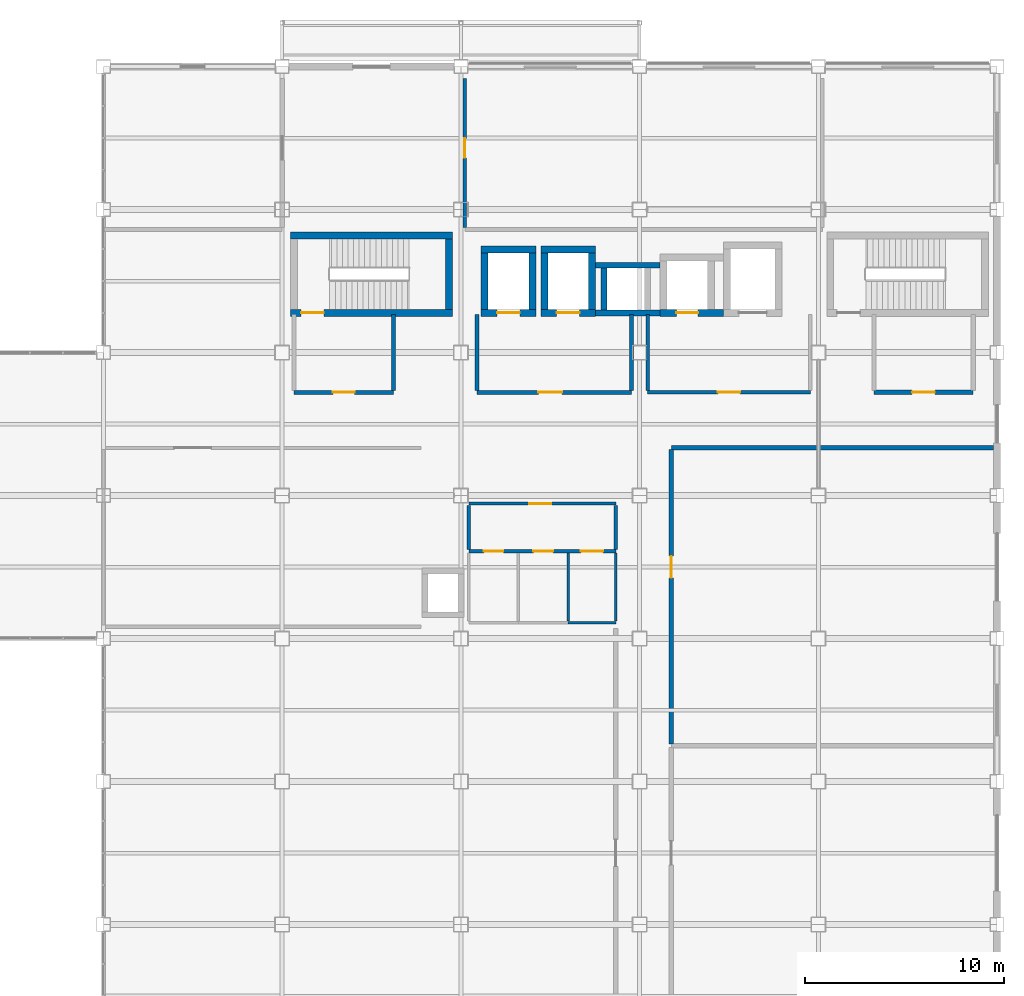
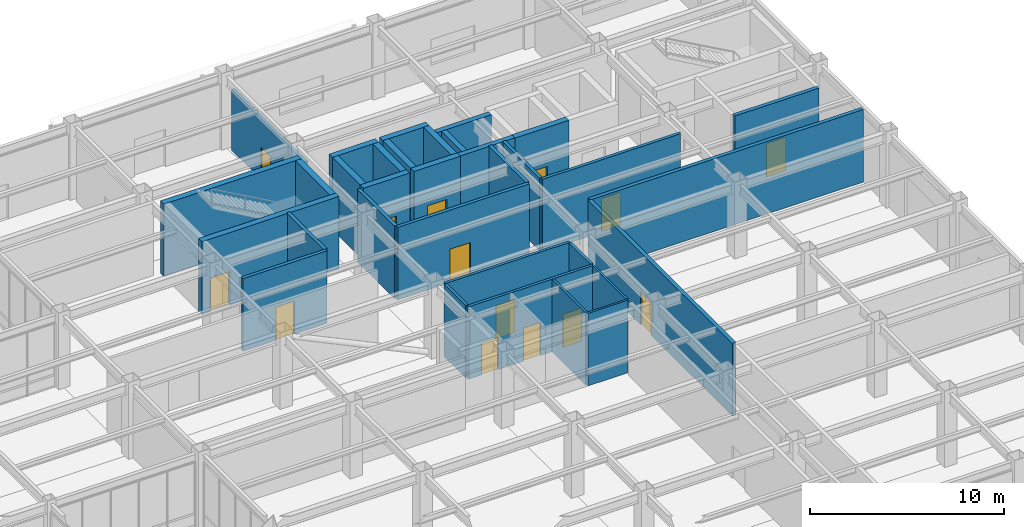
# One storey, part 94 of 112: 33 walls, 14 doors, 14 openings.
"""IFC4 building model written with IfcOpenShell, lengths in metres."""

from ifc_helpers import new_model, si_unit, direction, frame, frame_2d, origin, place, context, subcontext, project, spatial, rectangle, extrude, material, layer, layer_set, type_object, element, fill, save


model = new_model("IFC4")

# Units and contexts
model_context = context("Model", 3, precision=1e-05, world=origin(), true_north=direction((0.0, 1.0)))
body_context = subcontext(model_context, "Body", "Model", "MODEL_VIEW")
ifc_project = project(units=[si_unit("LENGTHUNIT", "METRE"), si_unit("AREAUNIT", "SQUARE_METRE"), si_unit("VOLUMEUNIT", "CUBIC_METRE"), si_unit("PLANEANGLEUNIT", "RADIAN"), si_unit("MASSUNIT", "GRAM", prefix="KILO")], contexts=[model_context])

# Site, building, storey
site_placement = place(None, origin())
site = spatial("IfcSite", under=ifc_project, at=site_placement, CompositionType="ELEMENT")
building_placement = place(site_placement, origin())
building = spatial("IfcBuilding", under=site, at=building_placement, Name="Kazanami Central Library", CompositionType="ELEMENT")
storey_placement = place(building_placement, origin())
storey = spatial("IfcBuildingStorey", under=building, at=storey_placement, Name="L01", CompositionType="ELEMENT", Elevation=0.0)

# Wall, openings, doors
ifc_material_1 = material(Name="Fire-Resistant Gypsum Board GB-F", Category="gypsum")
ifc_layer_1 = layer(ifc_material_1, 0.1650390625, Name="Fire-Resistant Gypsum Board GB-F")
ifc_layer_set_1 = layer_set([ifc_layer_1], Name="Fire-Resistant Gypsum Board GB-F")
wall_type_1 = type_object("IfcWallType", Name="WAL-FW-165", PredefinedType="PARTITIONING", material=ifc_layer_set_1)
wall_1_placement = place(storey_placement, frame((135.39990234375, 69.199951171875, 0.0), z_axis=(0.0, 0.0, 1.0), x_axis=(1.0, 0.0, 0.0)))
wall_1 = element("IfcWall", 1, at=wall_1_placement, inside=storey, type_object=wall_type_1, Name="Interior Partition FW-165 L01 WC-V2-LOB (South)", PredefinedType="PARTITIONING", context=body_context, shape_type="SweptSolid", body=[
    extrude(rectangle(XDim=7.400146484375, YDim=0.1650390625, at=frame_2d((3.7001953125, 0.0))), origin(), (0.0, 0.0, 1.0), 4.554931640625),
])
opening_1_placement = place(wall_1_placement, frame((0.760009765625, 0.0, 0.0)))
opening_1 = element("IfcOpeningElement", 2, at=opening_1_placement, cuts=wall_1, Name="Opening FD30-3", PredefinedType="OPENING", context=body_context, shape_type="SweptSolid", body=[
    extrude(rectangle(XDim=0.97998046875, YDim=2.02001953125, at=frame_2d((0.489990234375, 1.010009765625))), frame((0.0, 0.094482421875, 0.0), z_axis=(0.0, -1.0, 0.0), x_axis=(1.0, 0.0, 0.0)), (0.0, 0.0, 1.0), 0.18896484375),
])
opening_2_placement = place(wall_1_placement, frame((3.25, 0.0, 0.0)))
opening_2 = element("IfcOpeningElement", 3, at=opening_2_placement, cuts=wall_1, Name="Opening FD30-2", PredefinedType="OPENING", context=body_context, shape_type="SweptSolid", body=[
    extrude(rectangle(XDim=1.0, YDim=2.080078125, at=frame_2d((0.5, 1.0400390625))), frame((0.0, 0.094482421875, 0.0), z_axis=(0.0, -1.0, 0.0), x_axis=(1.0, 0.0, 0.0)), (0.0, 0.0, 1.0), 0.18896484375),
])
opening_3_placement = place(wall_1_placement, frame((5.639892578125, 0.0, 0.0)))
opening_3 = element("IfcOpeningElement", 4, at=opening_3_placement, cuts=wall_1, Name="Opening FD30-8", PredefinedType="OPENING", context=body_context, shape_type="SweptSolid", body=[
    extrude(rectangle(XDim=1.1201171875, YDim=2.080078125, at=frame_2d((0.56005859375, 1.0400390625))), frame((0.0, 0.094482421875, 0.0), z_axis=(0.0, -1.0, 0.0), x_axis=(1.0, 0.0, 0.0)), (0.0, 0.0, 1.0), 0.18896484375),
])
ifc_material_2 = material(Name="Cold-Rolled Steel SPCC", Category="steel")
door_type_1 = type_object("IfcDoorType", Name="DOR-FD30-2", OperationType="NOTDEFINED", PredefinedType="DOOR", material=ifc_material_2)
door_1_placement = place(opening_2_placement, origin())
door_1 = element("IfcDoor", 5, at=door_1_placement, inside=storey, type_object=door_type_1, Name="Interior Door FD30-2 L01 WC-V2-F", OperationType="SINGLE_SWING_RIGHT", OverallHeight=2.080078125, OverallWidth=1.0, PredefinedType="DOOR", context=body_context, shape_type="SweptSolid", body=[
    extrude(rectangle(XDim=1.0, YDim=2.080078125, at=frame_2d((0.5, 1.0400390625))), frame((0.0, 0.02490234375, 0.0), z_axis=(0.0, -1.0, 0.0), x_axis=(1.0, 0.0, 0.0)), (0.0, 0.0, 1.0), 0.050048828125),
])
fill(opening_2, door_1)
door_type_2 = type_object("IfcDoorType", Name="DOR-FD30-3", OperationType="NOTDEFINED", PredefinedType="DOOR", material=ifc_material_2)
door_2_placement = place(opening_1_placement, origin())
door_2 = element("IfcDoor", 6, at=door_2_placement, inside=storey, type_object=door_type_2, Name="Interior Door FD30-3 L01 WC-V2-M", OperationType="SINGLE_SWING_LEFT", OverallHeight=2.02001953125, OverallWidth=0.97998046875, PredefinedType="DOOR", context=body_context, shape_type="SweptSolid", body=[
    extrude(rectangle(XDim=0.97998046875, YDim=2.02001953125, at=frame_2d((0.489990234375, 1.010009765625))), frame((0.0, 0.02490234375, 0.0), z_axis=(0.0, -1.0, 0.0), x_axis=(1.0, 0.0, 0.0)), (0.0, 0.0, 1.0), 0.050048828125),
])
fill(opening_1, door_2)
door_type_3 = type_object("IfcDoorType", Name="DOR-FD30-8", OperationType="NOTDEFINED", PredefinedType="DOOR", material=ifc_material_2)
door_3_placement = place(opening_3_placement, origin())
door_3 = element("IfcDoor", 7, at=door_3_placement, inside=storey, type_object=door_type_3, Name="Interior Door FD30-8 L01 WC-V2-ACC", OperationType="SINGLE_SWING_LEFT", OverallHeight=2.080078125, OverallWidth=1.1201171875, PredefinedType="DOOR", context=body_context, shape_type="SweptSolid", body=[
    extrude(rectangle(XDim=1.1201171875, YDim=2.080078125, at=frame_2d((0.56005859375, 1.0400390625))), frame((0.0, 0.02490234375, 0.0), z_axis=(0.0, -1.0, 0.0), x_axis=(1.0, 0.0, 0.0)), (0.0, 0.0, 1.0), 0.050048828125),
])
fill(opening_3, door_3)

# Wall, opening, door
wall_2_placement = place(storey_placement, frame((135.39990234375, 71.60009765625, 0.0), z_axis=(0.0, 0.0, 1.0), x_axis=(1.0, 0.0, 0.0)))
wall_2 = element("IfcWall", 8, at=wall_2_placement, inside=storey, type_object=wall_type_1, Name="Interior Partition FW-165 L01 WC-V2-LOB (North)", PredefinedType="PARTITIONING", context=body_context, shape_type="SweptSolid", body=[
    extrude(rectangle(XDim=7.400146484375, YDim=0.1650390625, at=frame_2d((3.7001953125, 0.0))), origin(), (0.0, 0.0, 1.0), 4.554931640625),
])
opening_4_placement = place(wall_2_placement, frame((3.0400390625, 0.0, 0.0)))
opening_4 = element("IfcOpeningElement", 9, at=opening_4_placement, cuts=wall_2, Name="Opening FD30-8", PredefinedType="OPENING", context=body_context, shape_type="SweptSolid", body=[
    extrude(rectangle(XDim=1.1201171875, YDim=2.080078125, at=frame_2d((0.56005859375, 1.0400390625))), frame((0.0, 0.094482421875, 0.0), z_axis=(0.0, -1.0, 0.0), x_axis=(1.0, 0.0, 0.0)), (0.0, 0.0, 1.0), 0.18896484375),
])
door_4_placement = place(opening_4_placement, origin())
door_4 = element("IfcDoor", 10, at=door_4_placement, inside=storey, type_object=door_type_3, Name="Interior Door FD30-8 L01 WC-V2-LOB", OperationType="SINGLE_SWING_RIGHT", OverallHeight=2.080078125, OverallWidth=1.1201171875, PredefinedType="DOOR", context=body_context, shape_type="SweptSolid", body=[
    extrude(rectangle(XDim=1.1201171875, YDim=2.080078125, at=frame_2d((0.56005859375, 1.0400390625))), frame((0.0, 0.02490234375, 0.0), z_axis=(0.0, -1.0, 0.0), x_axis=(1.0, 0.0, 0.0)), (0.0, 0.0, 1.0), 0.050048828125),
])
fill(opening_4, door_4)

# Walls
for number, where, z_axis, x_axis, name in (
    (11, (135.39990234375, 69.2900390625, 0.0), (0.0, 0.0, 1.0), (0.0, 1.0, 0.0), "Interior Partition FW-165 L01 WC-V2-LOB (West)"),
    (12, (142.800048828125, 69.2900390625, 0.0), (0.0, 0.0, 1.0), (0.0, 1.0, 0.0), "Interior Partition FW-165 L01 WC-V2-LOB (East)"),
):
    element("IfcWall", number, at=place(storey_placement, frame(where, z_axis=z_axis, x_axis=x_axis)), inside=storey, type_object=wall_type_1, Name=name, PredefinedType="PARTITIONING", context=body_context, shape_type="SweptSolid", body=[
        extrude(rectangle(XDim=2.219970703125, YDim=0.1650390625, at=frame_2d((1.10986328125, 0.0))), origin(), (0.0, 0.0, 1.0), 4.554931640625),
    ])

# Wall, opening, door
ifc_layer_2 = layer(ifc_material_1, 0.179931640625, Name="Fire-Resistant Gypsum Board GB-F")
ifc_layer_set_2 = layer_set([ifc_layer_2], Name="Fire-Resistant Gypsum Board GB-F")
wall_type_2 = type_object("IfcWallType", Name="WAL-FW-180", PredefinedType="PARTITIONING", material=ifc_layer_set_2)
wall_3_placement = place(storey_placement, frame((144.39990234375, 77.199951171875, 0.0), z_axis=(0.0, 0.0, 1.0), x_axis=(1.0, 0.0, 0.0)))
wall_3 = element("IfcWall", 13, at=wall_3_placement, inside=storey, type_object=wall_type_2, Name="Interior Partition FW-180 L01 LOBBY-V2 (South)", PredefinedType="PARTITIONING", context=body_context, shape_type="SweptSolid", body=[
    extrude(rectangle(XDim=8.2001953125, YDim=0.179931640625, at=frame_2d((4.10009765625, 0.0))), origin(), (0.0, 0.0, 1.0), 4.554931640625),
])
opening_5_placement = place(wall_3_placement, frame((3.5400390625, 0.0, 0.0)))
opening_5 = element("IfcOpeningElement", 14, at=opening_5_placement, cuts=wall_3, Name="Opening FD30-8", PredefinedType="OPENING", context=body_context, shape_type="SweptSolid", body=[
    extrude(rectangle(XDim=1.1201171875, YDim=2.080078125, at=frame_2d((0.56005859375, 1.0400390625))), frame((0.0, 0.10205078125, 0.0), z_axis=(0.0, -1.0, 0.0), x_axis=(1.0, 0.0, 0.0)), (0.0, 0.0, 1.0), 0.203857421875),
])
door_5_placement = place(opening_5_placement, frame((1.1201171875, 0.0, 0.0), z_axis=(0.0, 0.0, 1.0), x_axis=(-1.0, 0.0, 0.0)))
door_5 = element("IfcDoor", 15, at=door_5_placement, inside=storey, type_object=door_type_3, Name="Interior Door FD30-8 L01 LOBBY-V2", OperationType="SINGLE_SWING_LEFT", OverallHeight=2.080078125, OverallWidth=1.1201171875, PredefinedType="DOOR", context=body_context, shape_type="SweptSolid", body=[
    extrude(rectangle(XDim=1.1201171875, YDim=2.080078125, at=frame_2d((0.56005859375, 1.0400390625))), frame((0.0, 0.02490234375, 0.0), z_axis=(0.0, -1.0, 0.0), x_axis=(1.0, 0.0, 0.0)), (0.0, 0.0, 1.0), 0.050048828125),
])
fill(opening_5, door_5)

# Wall
wall_4_placement = place(storey_placement, frame((144.39990234375, 77.2900390625, 0.0), z_axis=(0.0, 0.0, 1.0), x_axis=(0.0, 1.0, 0.0)))
element("IfcWall", 16, at=wall_4_placement, inside=storey, type_object=wall_type_2, Name="Interior Partition FW-180 L01 LOBBY-V2 (West)", PredefinedType="PARTITIONING", context=body_context, shape_type="SweptSolid", body=[
    extrude(rectangle(XDim=3.820068359375, YDim=0.179931640625, at=frame_2d((1.91015625, 0.0))), origin(), (0.0, 0.0, 1.0), 4.554931640625),
])

# Wall, opening, door
wall_5_placement = place(storey_placement, frame((135.199951171875, 85.489990234375, 0.0), z_axis=(0.0, 0.0, 1.0), x_axis=(0.0, 1.0, 0.0)))
wall_5 = element("IfcWall", 17, at=wall_5_placement, inside=storey, type_object=wall_type_2, Name="Interior Partition FW-180 L01 RM-45 (West)", PredefinedType="PARTITIONING", context=body_context, shape_type="SweptSolid", body=[
    extrude(rectangle(XDim=7.510009765625, YDim=0.179931640625, at=frame_2d((3.7548828125, 0.0))), origin(), (0.0, 0.0, 1.0), 3.8349609375),
])
opening_6_placement = place(wall_5_placement, frame((3.52001953125, 0.0, 0.0)))
opening_6 = element("IfcOpeningElement", 18, at=opening_6_placement, cuts=wall_5, Name="Opening FD30-3", PredefinedType="OPENING", context=body_context, shape_type="SweptSolid", body=[
    extrude(rectangle(XDim=0.97998046875, YDim=2.02001953125, at=frame_2d((0.489990234375, 1.010009765625))), frame((0.0, 0.10205078125, 0.0), z_axis=(0.0, -1.0, 0.0), x_axis=(1.0, 0.0, 0.0)), (0.0, 0.0, 1.0), 0.203857421875),
])
door_6_placement = place(opening_6_placement, origin())
door_6 = element("IfcDoor", 19, at=door_6_placement, inside=storey, type_object=door_type_2, Name="Interior Door FD30-3 L01 RM-45", OperationType="SINGLE_SWING_LEFT", OverallHeight=2.02001953125, OverallWidth=0.97998046875, PredefinedType="DOOR", context=body_context, shape_type="SweptSolid", body=[
    extrude(rectangle(XDim=0.97998046875, YDim=2.02001953125, at=frame_2d((0.489990234375, 1.010009765625))), frame((0.0, 0.02490234375, 0.0), z_axis=(0.0, -1.0, 0.0), x_axis=(1.0, 0.0, 0.0)), (0.0, 0.0, 1.0), 0.050048828125),
])
fill(opening_6, door_6)

ifc_layer_3 = layer(ifc_material_1, 0.199951171875, Name="Fire-Resistant Gypsum Board GB-F")
ifc_layer_set_3 = layer_set([ifc_layer_3], Name="Fire-Resistant Gypsum Board GB-F")
wall_type_3 = type_object("IfcWallType", Name="WAL-FW-200", PredefinedType="PARTITIONING", material=ifc_layer_set_3)
wall_6_placement = place(storey_placement, frame((126.60009765625, 77.199951171875, 0.0), z_axis=(0.0, 0.0, 1.0), x_axis=(1.0, 0.0, 0.0)))
wall_6 = element("IfcWall", 20, at=wall_6_placement, inside=storey, type_object=wall_type_3, Name="Interior Partition FW-200 L01 VEST-ST-01 (South)", PredefinedType="PARTITIONING", context=body_context, shape_type="SweptSolid", body=[
    extrude(rectangle(XDim=5.0, YDim=0.199951171875, at=frame_2d((2.5, 0.0))), origin(), (0.0, 0.0, 1.0), 4.554931640625),
])
opening_7_placement = place(wall_6_placement, frame((1.949951171875, 0.0, 0.0)))
opening_7 = element("IfcOpeningElement", 21, at=opening_7_placement, cuts=wall_6, Name="Opening FD60-3", PredefinedType="OPENING", context=body_context, shape_type="SweptSolid", body=[
    extrude(rectangle(XDim=1.10009765625, YDim=2.080078125, at=frame_2d((0.550048828125, 1.0400390625))), frame((0.0, 0.11181640625, 0.0), z_axis=(0.0, -1.0, 0.0), x_axis=(1.0, 0.0, 0.0)), (0.0, 0.0, 1.0), 0.223876953125),
])
door_type_4 = type_object("IfcDoorType", Name="DOR-FD60-3", OperationType="NOTDEFINED", PredefinedType="DOOR", material=ifc_material_2)
door_7_placement = place(opening_7_placement, frame((1.10009765625, 0.0, 0.0), z_axis=(0.0, 0.0, 1.0), x_axis=(-1.0, 0.0, 0.0)))
door_7 = element("IfcDoor", 22, at=door_7_placement, inside=storey, type_object=door_type_4, Name="Interior Door FD60-3 L01 VEST-ST-01", OperationType="SINGLE_SWING_RIGHT", OverallHeight=2.080078125, OverallWidth=1.10009765625, PredefinedType="DOOR", context=body_context, shape_type="SweptSolid", body=[
    extrude(rectangle(XDim=1.10009765625, YDim=2.080078125, at=frame_2d((0.550048828125, 1.0400390625))), frame((0.0, 0.02490234375, 0.0), z_axis=(0.0, -1.0, 0.0), x_axis=(1.0, 0.0, 0.0)), (0.0, 0.0, 1.0), 0.050048828125),
])
fill(opening_7, door_7)

# Wall
wall_7_placement = place(storey_placement, frame((131.60009765625, 77.2900390625, 0.0), z_axis=(0.0, 0.0, 1.0), x_axis=(0.0, 1.0, 0.0)))
element("IfcWall", 23, at=wall_7_placement, inside=storey, type_object=wall_type_3, Name="Interior Partition FW-200 L01 VEST-ST-01 (East)", PredefinedType="PARTITIONING", context=body_context, shape_type="SweptSolid", body=[
    extrude(rectangle(XDim=3.820068359375, YDim=0.199951171875, at=frame_2d((1.91015625, 0.0))), origin(), (0.0, 0.0, 1.0), 4.554931640625),
])

# Wall, opening, door
wall_8_placement = place(storey_placement, frame((135.800048828125, 77.199951171875, 0.0), z_axis=(0.0, 0.0, 1.0), x_axis=(1.0, 0.0, 0.0)))
wall_8 = element("IfcWall", 24, at=wall_8_placement, inside=storey, type_object=wall_type_3, Name="Interior Partition FW-200 L01 LOBBY-FF (South)", PredefinedType="PARTITIONING", context=body_context, shape_type="SweptSolid", body=[
    extrude(rectangle(XDim=7.800048828125, YDim=0.199951171875, at=frame_2d((3.89990234375, 0.0))), origin(), (0.0, 0.0, 1.0), 4.554931640625),
])
opening_8_placement = place(wall_8_placement, frame((3.10009765625, 0.0, 0.0)))
opening_8 = element("IfcOpeningElement", 25, at=opening_8_placement, cuts=wall_8, Name="Opening FD60-1", PredefinedType="OPENING", context=body_context, shape_type="SweptSolid", body=[
    extrude(rectangle(XDim=1.199951171875, YDim=2.10009765625, at=frame_2d((0.60009765625, 1.050048828125))), frame((0.0, 0.11181640625, 0.0), z_axis=(0.0, -1.0, 0.0), x_axis=(1.0, 0.0, 0.0)), (0.0, 0.0, 1.0), 0.223876953125),
])
door_type_5 = type_object("IfcDoorType", Name="DOR-FD60-1", OperationType="NOTDEFINED", PredefinedType="DOOR", material=ifc_material_2)
door_8_placement = place(opening_8_placement, frame((1.199951171875, 0.0, 0.0), z_axis=(0.0, 0.0, 1.0), x_axis=(-1.0, 0.0, 0.0)))
door_8 = element("IfcDoor", 26, at=door_8_placement, inside=storey, type_object=door_type_5, Name="Interior Door FD60-1 L01 LOBBY-FF", OperationType="SINGLE_SWING_RIGHT", OverallHeight=2.10009765625, OverallWidth=1.199951171875, PredefinedType="DOOR", context=body_context, shape_type="SweptSolid", body=[
    extrude(rectangle(XDim=1.199951171875, YDim=2.10009765625, at=frame_2d((0.60009765625, 1.050048828125))), frame((0.0, 0.02490234375, 0.0), z_axis=(0.0, -1.0, 0.0), x_axis=(1.0, 0.0, 0.0)), (0.0, 0.0, 1.0), 0.050048828125),
])
fill(opening_8, door_8)

# Walls
for number, where, z_axis, x_axis, name in (
    (27, (135.800048828125, 77.2900390625, 0.0), (0.0, 0.0, 1.0), (0.0, 1.0, 0.0), "Interior Partition FW-200 L01 LOBBY-FF (West)"),
    (28, (143.60009765625, 77.2900390625, 0.0), (0.0, 0.0, 1.0), (0.0, 1.0, 0.0), "Interior Partition FW-200 L01 LOBBY-FF (East)"),
):
    element("IfcWall", number, at=place(storey_placement, frame(where, z_axis=z_axis, x_axis=x_axis)), inside=storey, type_object=wall_type_3, Name=name, PredefinedType="PARTITIONING", context=body_context, shape_type="SweptSolid", body=[
        extrude(rectangle(XDim=3.820068359375, YDim=0.199951171875, at=frame_2d((1.91015625, 0.0))), origin(), (0.0, 0.0, 1.0), 4.554931640625),
    ])

# Wall, opening, door
ifc_layer_4 = layer(ifc_material_1, 0.219970703125, Name="Fire-Resistant Gypsum Board GB-F")
ifc_layer_set_4 = layer_set([ifc_layer_4], Name="Fire-Resistant Gypsum Board GB-F")
wall_type_4 = type_object("IfcWallType", Name="WAL-FW-220", PredefinedType="PARTITIONING", material=ifc_layer_set_4)
wall_9_placement = place(storey_placement, frame((155.800048828125, 77.199951171875, 0.0), z_axis=(0.0, 0.0, 1.0), x_axis=(1.0, 0.0, 0.0)))
wall_9 = element("IfcWall", 29, at=wall_9_placement, inside=storey, type_object=wall_type_4, Name="Interior Partition FW-220 L01 VEST-ST-02 (South)", PredefinedType="PARTITIONING", context=body_context, shape_type="SweptSolid", body=[
    extrude(rectangle(XDim=5.0, YDim=0.219970703125, at=frame_2d((2.5, 0.0))), origin(), (0.0, 0.0, 1.0), 4.554931640625),
])
opening_9_placement = place(wall_9_placement, frame((1.925048828125, 0.0, 0.0)))
opening_9 = element("IfcOpeningElement", 30, at=opening_9_placement, cuts=wall_9, Name="Opening FD60-2", PredefinedType="OPENING", context=body_context, shape_type="SweptSolid", body=[
    extrude(rectangle(XDim=1.14990234375, YDim=2.10009765625, at=frame_2d((0.574951171875, 1.050048828125))), frame((0.0, 0.1220703125, 0.0), z_axis=(0.0, -1.0, 0.0), x_axis=(1.0, 0.0, 0.0)), (0.0, 0.0, 1.0), 0.243896484375),
])
door_type_6 = type_object("IfcDoorType", Name="DOR-FD60-2", OperationType="NOTDEFINED", PredefinedType="DOOR", material=ifc_material_2)
door_9_placement = place(opening_9_placement, frame((1.14990234375, 0.0, 0.0), z_axis=(0.0, 0.0, 1.0), x_axis=(-1.0, 0.0, 0.0)))
door_9 = element("IfcDoor", 31, at=door_9_placement, inside=storey, type_object=door_type_6, Name="Interior Door FD60-2 L01 VEST-ST-02", OperationType="SINGLE_SWING_LEFT", OverallHeight=2.10009765625, OverallWidth=1.14990234375, PredefinedType="DOOR", context=body_context, shape_type="SweptSolid", body=[
    extrude(rectangle(XDim=1.14990234375, YDim=2.10009765625, at=frame_2d((0.574951171875, 1.050048828125))), frame((0.0, 0.02490234375, 0.0), z_axis=(0.0, -1.0, 0.0), x_axis=(1.0, 0.0, 0.0)), (0.0, 0.0, 1.0), 0.050048828125),
])
fill(opening_9, door_9)

# Wall
wall_10_placement = place(storey_placement, frame((145.60009765625, 74.39990234375, 0.0), z_axis=(0.0, 0.0, 1.0), x_axis=(1.0, 0.0, 0.0)))
element("IfcWall", 32, at=wall_10_placement, inside=storey, type_object=wall_type_4, Name="Interior Partition FW-220 L01 RM-43 (North)", PredefinedType="PARTITIONING", context=body_context, shape_type="SweptSolid", body=[
    extrude(rectangle(XDim=16.219970703125, YDim=0.219970703125, at=frame_2d((8.10986328125, 0.0))), origin(), (0.0, 0.0, 1.0), 4.554931640625),
])

# Wall, opening, door
wall_11_placement = place(storey_placement, frame((145.60009765625, 59.489990234375, 0.0), z_axis=(0.0, 0.0, 1.0), x_axis=(0.0, 1.0, 0.0)))
wall_11 = element("IfcWall", 33, at=wall_11_placement, inside=storey, type_object=wall_type_4, Name="Interior Partition FW-220 L01 RM-43 (West)", PredefinedType="PARTITIONING", context=body_context, shape_type="SweptSolid", body=[
    extrude(rectangle(XDim=14.820068359375, YDim=0.219970703125, at=frame_2d((7.41015625, 0.0))), origin(), (0.0, 0.0, 1.0), 4.554931640625),
])
opening_10_placement = place(wall_11_placement, frame((8.360107421875, 0.0, 0.0)))
opening_10 = element("IfcOpeningElement", 34, at=opening_10_placement, cuts=wall_11, Name="Opening FD60-3", PredefinedType="OPENING", context=body_context, shape_type="SweptSolid", body=[
    extrude(rectangle(XDim=1.10009765625, YDim=2.080078125, at=frame_2d((0.550048828125, 1.0400390625))), frame((0.0, 0.1220703125, 0.0), z_axis=(0.0, -1.0, 0.0), x_axis=(1.0, 0.0, 0.0)), (0.0, 0.0, 1.0), 0.243896484375),
])
door_10_placement = place(opening_10_placement, origin())
door_10 = element("IfcDoor", 35, at=door_10_placement, inside=storey, type_object=door_type_4, Name="Interior Door FD60-3 L01 RM-43", OperationType="SINGLE_SWING_LEFT", OverallHeight=2.080078125, OverallWidth=1.10009765625, PredefinedType="DOOR", context=body_context, shape_type="SweptSolid", body=[
    extrude(rectangle(XDim=1.10009765625, YDim=2.080078125, at=frame_2d((0.550048828125, 1.0400390625))), frame((0.0, 0.02490234375, 0.0), z_axis=(0.0, -1.0, 0.0), x_axis=(1.0, 0.0, 0.0)), (0.0, 0.0, 1.0), 0.050048828125),
])
fill(opening_10, door_10)

# Walls
ifc_material_3 = material(Name="Gypsum Plasterboard GB-R", Category="gypsum")
ifc_layer_5 = layer(ifc_material_3, 0.125, Name="Gypsum Plasterboard GB-R")
ifc_layer_set_5 = layer_set([ifc_layer_5], Name="Gypsum Plasterboard GB-R")
wall_type_5 = type_object("IfcWallType", Name="WAL-PW-125", PredefinedType="PARTITIONING", material=ifc_layer_set_5)
wall_12_placement = place(storey_placement, frame((140.39990234375, 65.68994140625, 0.0), z_axis=(0.0, 0.0, 1.0), x_axis=(0.0, 1.0, 0.0)))
element("IfcWall", 36, at=wall_12_placement, inside=storey, type_object=wall_type_5, Name="Interior Partition PW-125 L01 WC-V2-F (East)", PredefinedType="PARTITIONING", context=body_context, shape_type="SweptSolid", body=[
    extrude(rectangle(XDim=3.420166015625, YDim=0.125, at=frame_2d((1.7099609375, 0.0))), origin(), (0.0, 0.0, 1.0), 4.554931640625),
])
wall_13_placement = place(storey_placement, frame((140.39990234375, 65.60009765625, 0.0), z_axis=(0.0, 0.0, 1.0), x_axis=(1.0, 0.0, 0.0)))
element("IfcWall", 37, at=wall_13_placement, inside=storey, type_object=wall_type_5, Name="Interior Partition PW-125 L01 WC-V2-ACC (South)", PredefinedType="PARTITIONING", context=body_context, shape_type="SweptSolid", body=[
    extrude(rectangle(XDim=2.400146484375, YDim=0.125, at=frame_2d((1.2001953125, 0.0))), origin(), (0.0, 0.0, 1.0), 4.554931640625),
])
wall_14_placement = place(storey_placement, frame((142.800048828125, 65.68994140625, 0.0), z_axis=(0.0, 0.0, 1.0), x_axis=(0.0, 1.0, 0.0)))
element("IfcWall", 38, at=wall_14_placement, inside=storey, type_object=wall_type_5, Name="Interior Partition PW-125 L01 WC-V2-ACC (East)", PredefinedType="PARTITIONING", context=body_context, shape_type="SweptSolid", body=[
    extrude(rectangle(XDim=3.420166015625, YDim=0.125, at=frame_2d((1.7099609375, 0.0))), origin(), (0.0, 0.0, 1.0), 4.554931640625),
])
ifc_material_4 = material(Name="Concrete Fc36 (36 MPa)", Category="concrete")
ifc_layer_6 = layer(ifc_material_4, 0.300048828125, Name="Concrete Fc36 (36 MPa)")
ifc_layer_set_6 = layer_set([ifc_layer_6], Name="Concrete Fc36 (36 MPa)")
wall_type_6 = type_object("IfcWallType", Name="WAL-SW-300", PredefinedType="SHEAR", material=ifc_layer_set_6)
for number, where, z_axis, x_axis, name in (
    (39, (141.77490234375, 81.199951171875, 0.0), (0.0, 0.0, 1.0), (1.0, 0.0, 0.0), "Service Riser Wall RSR-V2-A S L01"),
    (40, (141.77490234375, 83.60009765625, 0.0), (0.0, 0.0, 1.0), (1.0, 0.0, 0.0), "Service Riser Wall RSR-V2-A N L01"),
):
    element("IfcWall", number, at=place(storey_placement, frame(where, z_axis=z_axis, x_axis=x_axis)), inside=storey, type_object=wall_type_6, Name=name, PredefinedType="SHEAR", context=body_context, shape_type="SweptSolid", body=[
        extrude(rectangle(XDim=3.25, YDim=0.300048828125, at=frame_2d((1.625, 0.0))), origin(), (0.0, 0.0, 1.0), 4.554931640625),
    ])
wall_15_placement = place(storey_placement, frame((142.199951171875, 81.35009765625, 0.0), z_axis=(0.0, 0.0, 1.0), x_axis=(0.0, 1.0, 0.0)))
element("IfcWall", 41, at=wall_15_placement, inside=storey, type_object=wall_type_6, Name="Service Riser Wall RSR-V2-A W L01", PredefinedType="SHEAR", context=body_context, shape_type="SweptSolid", body=[
    extrude(rectangle(XDim=2.099853515625, YDim=0.300048828125, at=frame_2d((1.0498046875, 0.0))), origin(), (0.0, 0.0, 1.0), 4.554931640625),
])

# Wall, opening, door
ifc_layer_7 = layer(ifc_material_4, 0.35009765625, Name="Concrete Fc36 (36 MPa)")
ifc_layer_set_7 = layer_set([ifc_layer_7], Name="Concrete Fc36 (36 MPa)")
wall_type_7 = type_object("IfcWallType", Name="WAL-SW-350", PredefinedType="SHEAR", material=ifc_layer_set_7)
wall_16_placement = place(storey_placement, frame((126.425048828125, 81.199951171875, 0.0), z_axis=(0.0, 0.0, 1.0), x_axis=(1.0, 0.0, 0.0)))
wall_16 = element("IfcWall", 42, at=wall_16_placement, inside=storey, type_object=wall_type_7, Name="Stair Core Wall ST-01 South L01", PredefinedType="SHEAR", context=body_context, shape_type="SweptSolid", body=[
    extrude(rectangle(XDim=8.14990234375, YDim=0.35009765625, at=frame_2d((4.074951171875, 0.0))), origin(), (0.0, 0.0, 1.0), 4.554931640625),
])
opening_11_placement = place(wall_16_placement, frame((0.52490234375, 0.0, 0.0)))
opening_11 = element("IfcOpeningElement", 43, at=opening_11_placement, cuts=wall_16, Name="Opening FD60-2", PredefinedType="OPENING", context=body_context, shape_type="SweptSolid", body=[
    extrude(rectangle(XDim=1.14990234375, YDim=2.10009765625, at=frame_2d((0.574951171875, 1.050048828125))), frame((0.0, 0.18701171875, 0.0), z_axis=(0.0, -1.0, 0.0), x_axis=(1.0, 0.0, 0.0)), (0.0, 0.0, 1.0), 0.3740234375),
])
door_11_placement = place(opening_11_placement, frame((1.14990234375, 0.0, 0.0), z_axis=(0.0, 0.0, 1.0), x_axis=(-1.0, 0.0, 0.0)))
door_11 = element("IfcDoor", 44, at=door_11_placement, inside=storey, type_object=door_type_6, Name="Escape Stair ST-01 Fire Door L01", OperationType="SINGLE_SWING_RIGHT", OverallHeight=2.10009765625, OverallWidth=1.14990234375, PredefinedType="DOOR", context=body_context, shape_type="SweptSolid", body=[
    extrude(rectangle(XDim=1.14990234375, YDim=2.10009765625, at=frame_2d((0.574951171875, 1.050048828125))), frame((0.0, 0.02490234375, 0.0), z_axis=(0.0, -1.0, 0.0), x_axis=(1.0, 0.0, 0.0)), (0.0, 0.0, 1.0), 0.050048828125),
])
fill(opening_11, door_11)

# Walls
wall_17_placement = place(storey_placement, frame((126.425048828125, 85.10009765625, 0.0), z_axis=(0.0, 0.0, 1.0), x_axis=(1.0, 0.0, 0.0)))
element("IfcWall", 45, at=wall_17_placement, inside=storey, type_object=wall_type_7, Name="Stair Core Wall ST-01 North L01", PredefinedType="SHEAR", context=body_context, shape_type="SweptSolid", body=[
    extrude(rectangle(XDim=8.14990234375, YDim=0.35009765625, at=frame_2d((4.074951171875, 0.0))), origin(), (0.0, 0.0, 1.0), 4.554931640625),
])
wall_18_placement = place(storey_placement, frame((134.39990234375, 81.375, 0.0), z_axis=(0.0, 0.0, 1.0), x_axis=(0.0, 1.0, 0.0)))
element("IfcWall", 46, at=wall_18_placement, inside=storey, type_object=wall_type_7, Name="Stair Core Wall ST-01 East L01", PredefinedType="SHEAR", context=body_context, shape_type="SweptSolid", body=[
    extrude(rectangle(XDim=3.550048828125, YDim=0.35009765625, at=frame_2d((1.77490234375, 0.0))), origin(), (0.0, 0.0, 1.0), 4.554931640625),
])

# Wall, opening, door
wall_19_placement = place(storey_placement, frame((136.02490234375, 81.199951171875, 0.0), z_axis=(0.0, 0.0, 1.0), x_axis=(1.0, 0.0, 0.0)))
wall_19 = element("IfcWall", 47, at=wall_19_placement, inside=storey, type_object=wall_type_7, Name="Lift Shaft Wall EL-F1 South L01", PredefinedType="SHEAR", context=body_context, shape_type="SweptSolid", body=[
    extrude(rectangle(XDim=2.75, YDim=0.35009765625, at=frame_2d((1.375, 0.0))), origin(), (0.0, 0.0, 1.0), 4.554931640625),
])
opening_12_placement = place(wall_19_placement, frame((0.800048828125, 0.0, 0.0)))
opening_12 = element("IfcOpeningElement", 48, at=opening_12_placement, cuts=wall_19, Name="Opening LD-02", PredefinedType="OPENING", context=body_context, shape_type="SweptSolid", body=[
    extrude(rectangle(XDim=1.14990234375, YDim=2.1201171875, at=frame_2d((0.574951171875, 1.06005859375))), frame((0.0, 0.18701171875, 0.0), z_axis=(0.0, -1.0, 0.0), x_axis=(1.0, 0.0, 0.0)), (0.0, 0.0, 1.0), 0.3740234375),
])
ifc_material_5 = material(Name="Stainless Steel SUS304", Category="steel")
door_type_7 = type_object("IfcDoorType", Name="DOR-LD-02", OperationType="SLIDING_TO_LEFT", PredefinedType="DOOR", material=ifc_material_5)
door_12_placement = place(opening_12_placement, origin())
door_12 = element("IfcDoor", 49, at=door_12_placement, inside=storey, type_object=door_type_7, Name="Lift Landing Sliding Door EL-F1 (L01)", OperationType="SLIDING_TO_LEFT", OverallHeight=2.1201171875, OverallWidth=1.14990234375, PredefinedType="DOOR", context=body_context, shape_type="SweptSolid", body=[
    extrude(rectangle(XDim=1.14990234375, YDim=2.1201171875, at=frame_2d((0.574951171875, 1.06005859375))), frame((0.0, 0.02490234375, 0.0), z_axis=(0.0, -1.0, 0.0), x_axis=(1.0, 0.0, 0.0)), (0.0, 0.0, 1.0), 0.050048828125),
])
fill(opening_12, door_12)

# Walls
wall_20_placement = place(storey_placement, frame((136.02490234375, 84.39990234375, 0.0), z_axis=(0.0, 0.0, 1.0), x_axis=(1.0, 0.0, 0.0)))
element("IfcWall", 50, at=wall_20_placement, inside=storey, type_object=wall_type_7, Name="Lift Shaft Wall EL-F1 North L01", PredefinedType="SHEAR", context=body_context, shape_type="SweptSolid", body=[
    extrude(rectangle(XDim=2.75, YDim=0.35009765625, at=frame_2d((1.375, 0.0))), origin(), (0.0, 0.0, 1.0), 4.554931640625),
])
for number, where, z_axis, x_axis, name in (
    (51, (136.199951171875, 81.375, 0.0), (0.0, 0.0, 1.0), (0.0, 1.0, 0.0), "Lift Shaft Wall EL-F1 West L01"),
    (52, (138.60009765625, 81.375, 0.0), (0.0, 0.0, 1.0), (0.0, 1.0, 0.0), "Lift Shaft Wall EL-F1 East L01"),
):
    element("IfcWall", number, at=place(storey_placement, frame(where, z_axis=z_axis, x_axis=x_axis)), inside=storey, type_object=wall_type_7, Name=name, PredefinedType="SHEAR", context=body_context, shape_type="SweptSolid", body=[
        extrude(rectangle(XDim=2.85009765625, YDim=0.35009765625, at=frame_2d((1.425048828125, 0.0))), origin(), (0.0, 0.0, 1.0), 4.554931640625),
    ])

# Wall, opening, door
wall_21_placement = place(storey_placement, frame((139.02490234375, 81.199951171875, 0.0), z_axis=(0.0, 0.0, 1.0), x_axis=(1.0, 0.0, 0.0)))
wall_21 = element("IfcWall", 53, at=wall_21_placement, inside=storey, type_object=wall_type_7, Name="Lift Shaft Wall EL-F2 South L01", PredefinedType="SHEAR", context=body_context, shape_type="SweptSolid", body=[
    extrude(rectangle(XDim=2.75, YDim=0.35009765625, at=frame_2d((1.375, 0.0))), origin(), (0.0, 0.0, 1.0), 4.554931640625),
])
opening_13_placement = place(wall_21_placement, frame((0.800048828125, 0.0, 0.0)))
opening_13 = element("IfcOpeningElement", 54, at=opening_13_placement, cuts=wall_21, Name="Opening LD-02", PredefinedType="OPENING", context=body_context, shape_type="SweptSolid", body=[
    extrude(rectangle(XDim=1.14990234375, YDim=2.1201171875, at=frame_2d((0.574951171875, 1.06005859375))), frame((0.0, 0.18701171875, 0.0), z_axis=(0.0, -1.0, 0.0), x_axis=(1.0, 0.0, 0.0)), (0.0, 0.0, 1.0), 0.3740234375),
])
door_13_placement = place(opening_13_placement, origin())
door_13 = element("IfcDoor", 55, at=door_13_placement, inside=storey, type_object=door_type_7, Name="Lift Landing Sliding Door EL-F2 (L01)", OperationType="SLIDING_TO_LEFT", OverallHeight=2.1201171875, OverallWidth=1.14990234375, PredefinedType="DOOR", context=body_context, shape_type="SweptSolid", body=[
    extrude(rectangle(XDim=1.14990234375, YDim=2.1201171875, at=frame_2d((0.574951171875, 1.06005859375))), frame((0.0, 0.02490234375, 0.0), z_axis=(0.0, -1.0, 0.0), x_axis=(1.0, 0.0, 0.0)), (0.0, 0.0, 1.0), 0.050048828125),
])
fill(opening_13, door_13)

# Walls
wall_22_placement = place(storey_placement, frame((139.02490234375, 84.39990234375, 0.0), z_axis=(0.0, 0.0, 1.0), x_axis=(1.0, 0.0, 0.0)))
element("IfcWall", 56, at=wall_22_placement, inside=storey, type_object=wall_type_7, Name="Lift Shaft Wall EL-F2 North L01", PredefinedType="SHEAR", context=body_context, shape_type="SweptSolid", body=[
    extrude(rectangle(XDim=2.75, YDim=0.35009765625, at=frame_2d((1.375, 0.0))), origin(), (0.0, 0.0, 1.0), 4.554931640625),
])
for number, where, z_axis, x_axis, name in (
    (57, (139.199951171875, 81.375, 0.0), (0.0, 0.0, 1.0), (0.0, 1.0, 0.0), "Lift Shaft Wall EL-F2 West L01"),
    (58, (141.60009765625, 81.375, 0.0), (0.0, 0.0, 1.0), (0.0, 1.0, 0.0), "Lift Shaft Wall EL-F2 East L01"),
):
    element("IfcWall", number, at=place(storey_placement, frame(where, z_axis=z_axis, x_axis=x_axis)), inside=storey, type_object=wall_type_7, Name=name, PredefinedType="SHEAR", context=body_context, shape_type="SweptSolid", body=[
        extrude(rectangle(XDim=2.85009765625, YDim=0.35009765625, at=frame_2d((1.425048828125, 0.0))), origin(), (0.0, 0.0, 1.0), 4.554931640625),
    ])

# Wall, opening, door
wall_23_placement = place(storey_placement, frame((145.02490234375, 81.199951171875, 0.0), z_axis=(0.0, 0.0, 1.0), x_axis=(1.0, 0.0, 0.0)))
wall_23 = element("IfcWall", 59, at=wall_23_placement, inside=storey, type_object=wall_type_7, Name="Lift Shaft Wall EL-P1 South L01", PredefinedType="SHEAR", context=body_context, shape_type="SweptSolid", body=[
    extrude(rectangle(XDim=3.2001953125, YDim=0.35009765625, at=frame_2d((1.60009765625, 0.0))), origin(), (0.0, 0.0, 1.0), 4.554931640625),
])
opening_14_placement = place(wall_23_placement, frame((0.824951171875, 0.0, 0.0)))
opening_14 = element("IfcOpeningElement", 60, at=opening_14_placement, cuts=wall_23, Name="Opening LD-01", PredefinedType="OPENING", context=body_context, shape_type="SweptSolid", body=[
    extrude(rectangle(XDim=1.10009765625, YDim=2.10009765625, at=frame_2d((0.550048828125, 1.050048828125))), frame((0.0, 0.18701171875, 0.0), z_axis=(0.0, -1.0, 0.0), x_axis=(1.0, 0.0, 0.0)), (0.0, 0.0, 1.0), 0.3740234375),
])
door_type_8 = type_object("IfcDoorType", Name="DOR-LD-01", OperationType="SLIDING_TO_LEFT", PredefinedType="DOOR", material=ifc_material_5)
door_14_placement = place(opening_14_placement, origin())
door_14 = element("IfcDoor", 61, at=door_14_placement, inside=storey, type_object=door_type_8, Name="Lift Landing Sliding Door EL-P1 (L01)", OperationType="SLIDING_TO_LEFT", OverallHeight=2.10009765625, OverallWidth=1.10009765625, PredefinedType="DOOR", context=body_context, shape_type="SweptSolid", body=[
    extrude(rectangle(XDim=1.10009765625, YDim=2.10009765625, at=frame_2d((0.550048828125, 1.050048828125))), frame((0.0, 0.02490234375, 0.0), z_axis=(0.0, -1.0, 0.0), x_axis=(1.0, 0.0, 0.0)), (0.0, 0.0, 1.0), 0.050048828125),
])
fill(opening_14, door_14)

save(model, "model.ifc")
